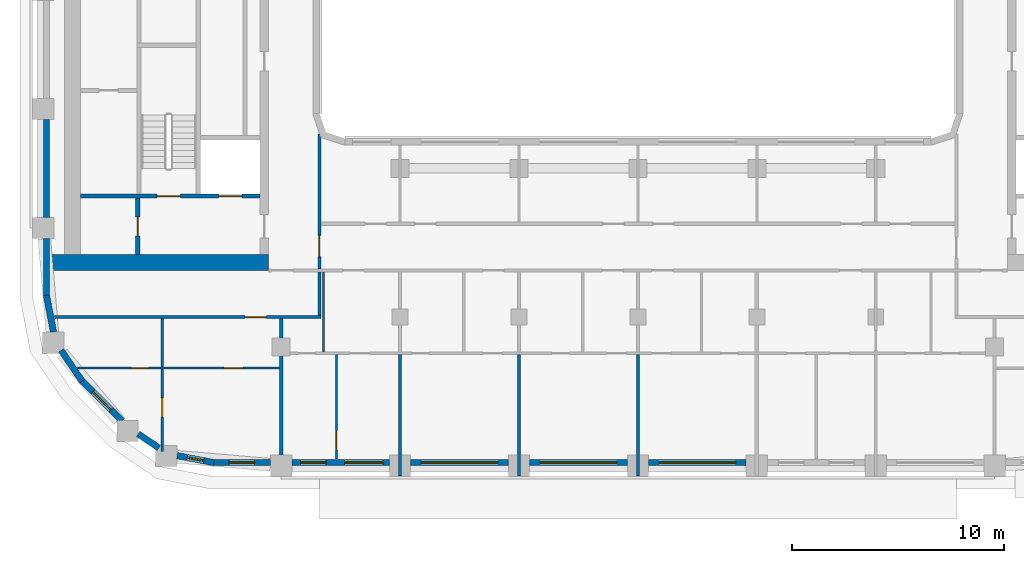
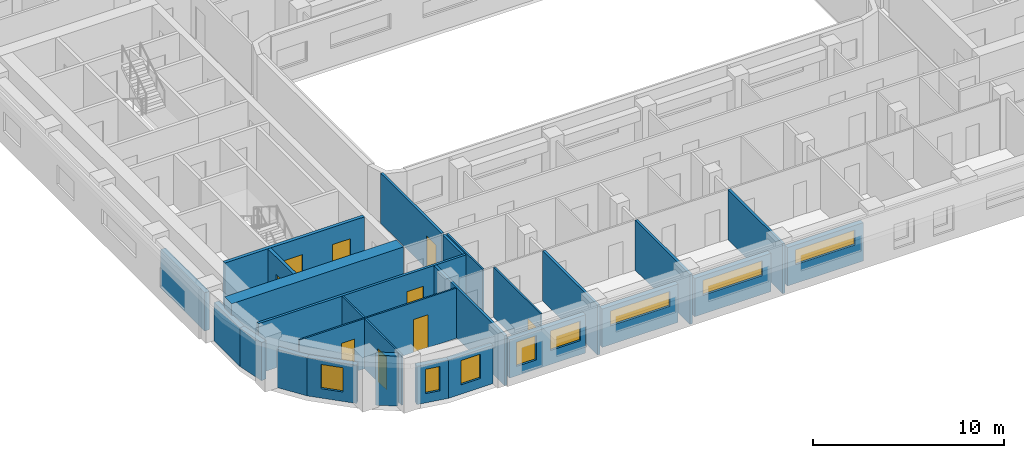
# One storey, part 2 of 22: 27 walls, 9 doors, 8 windows, 17 openings.
"""IFC4 building model written with IfcOpenShell, lengths in metres."""

from ifc_helpers import new_model, si_unit, direction, frame, frame_2d, origin, place, context, subcontext, project, spatial, rectangle, extrude, material, layer, layer_set, type_object, element, fill, save


model = new_model("IFC4")

# Units and contexts
model_context = context("Model", 3, precision=1e-05, world=origin(), true_north=direction((0.0, 1.0)))
body_context = subcontext(model_context, "Body", "Model", "MODEL_VIEW")
ifc_project = project(units=[si_unit("LENGTHUNIT", "METRE"), si_unit("AREAUNIT", "SQUARE_METRE"), si_unit("VOLUMEUNIT", "CUBIC_METRE"), si_unit("PLANEANGLEUNIT", "RADIAN"), si_unit("MASSUNIT", "GRAM", prefix="KILO")], contexts=[model_context])

# Site, building, storey
site_placement = place(None, origin())
site = spatial("IfcSite", under=ifc_project, at=site_placement, CompositionType="ELEMENT")
building_placement = place(site_placement, origin())
building = spatial("IfcBuilding", under=site, at=building_placement, Name="Kiln Ring Residences", CompositionType="ELEMENT")
storey_placement = place(building_placement, frame((0.0, 0.0, 164.10009765625)))
storey = spatial("IfcBuildingStorey", under=building, at=storey_placement, Name="L42", CompositionType="ELEMENT", Elevation=164.10009765625)

# Wall, opening, door
ifc_material_1 = material(Name="Gypsum board on steel studs", Category="steel")
ifc_layer_1 = layer(ifc_material_1, 0.199951171875)
ifc_layer_set_1 = layer_set([ifc_layer_1], Name="CORE-PARTITION-200")
wall_type_1 = type_object("IfcWallType", Name="CORE-PARTITION-200", PredefinedType="PARTITIONING", material=ifc_layer_set_1)
wall_1_placement = place(storey_placement, frame((-23.550048828125, -12.449951171875, 0.0), z_axis=(0.0, 0.0, 1.0), x_axis=(0.0, 1.0, 0.0)))
wall_1 = element("IfcWall", 1, at=wall_1_placement, inside=storey, type_object=wall_type_1, Name="Core partition west L42 5", PredefinedType="PARTITIONING", context=body_context, shape_type="SweptSolid", body=[
    extrude(rectangle(XDim=2.64990234375, YDim=0.199951171875, at=frame_2d((1.324951171875, 0.0))), origin(), (0.0, 0.0, 1.0), 3.199951171875),
])
opening_1_placement = place(wall_1_placement, frame((0.875, 0.0, 0.0)))
opening_1 = element("IfcOpeningElement", 2, at=opening_1_placement, cuts=wall_1, Name="Opening L42-CW10", PredefinedType="OPENING", context=body_context, shape_type="SweptSolid", body=[
    extrude(rectangle(XDim=0.89990234375, YDim=2.10009765625, at=frame_2d((0.449951171875, 1.050048828125))), frame((0.0, 0.10986328125, 0.0), z_axis=(0.0, -1.0, 0.0), x_axis=(1.0, 0.0, 0.0)), (0.0, 0.0, 1.0), 0.219970703125),
])
ifc_material_2 = material(Name="Steel door leaf", Category="steel")
door_type_1 = type_object("IfcDoorType", Name="CORE-DOOR-ROOM", OperationType="SINGLE_SWING_LEFT", PredefinedType="DOOR", material=ifc_material_2)
door_1_placement = place(opening_1_placement, origin())
door_1 = element("IfcDoor", 3, at=door_1_placement, inside=storey, type_object=door_type_1, Name="Store L42-CW10", OperationType="SINGLE_SWING_RIGHT", OverallHeight=2.10009765625, OverallWidth=0.89990234375, PredefinedType="DOOR", context=body_context, shape_type="SweptSolid", body=[
    extrude(rectangle(XDim=0.89990234375, YDim=2.10009765625, at=frame_2d((0.449951171875, 1.050048828125))), frame((0.0, 0.02490234375, 0.0), z_axis=(0.0, -1.0, 0.0), x_axis=(1.0, 0.0, 0.0)), (0.0, 0.0, 1.0), 0.050048828125),
])
fill(opening_1, door_1)

# Wall, openings, doors
ifc_material_3 = material(Name="Concrete C40/50", Category="concrete")
ifc_layer_2 = layer(ifc_material_3, 0.199951171875)
ifc_layer_set_2 = layer_set([ifc_layer_2], Name="CORE-WALL-RC200")
wall_type_2 = type_object("IfcWallType", Name="CORE-WALL-RC200", PredefinedType="SHEAR", material=ifc_layer_set_2)
wall_2_placement = place(storey_placement, frame((-17.800048828125, -9.699951171875, 0.0), z_axis=(0.0, 0.0, 1.0), x_axis=(-1.0, 0.0, 0.0)))
wall_2 = element("IfcWall", 4, at=wall_2_placement, inside=storey, type_object=wall_type_2, Name="Core wall west L42 8", PredefinedType="SHEAR", context=body_context, shape_type="SweptSolid", body=[
    extrude(rectangle(XDim=8.449951171875, YDim=0.199951171875, at=frame_2d((4.22509765625, 0.0))), origin(), (0.0, 0.0, 1.0), 3.199951171875),
])
opening_2_placement = place(wall_2_placement, frame((0.85009765625, 0.0, 0.0)))
opening_2 = element("IfcOpeningElement", 5, at=opening_2_placement, cuts=wall_2, Name="Opening L42-CW01", PredefinedType="OPENING", context=body_context, shape_type="SweptSolid", body=[
    extrude(rectangle(XDim=1.10009765625, YDim=2.10009765625, at=frame_2d((0.550048828125, 1.050048828125))), frame((0.0, 0.10986328125, 0.0), z_axis=(0.0, -1.0, 0.0), x_axis=(1.0, 0.0, 0.0)), (0.0, 0.0, 1.0), 0.219970703125),
])
opening_3_placement = place(wall_2_placement, frame((3.75, 0.0, 0.0)))
opening_3 = element("IfcOpeningElement", 6, at=opening_3_placement, cuts=wall_2, Name="Opening L42-CW12", PredefinedType="OPENING", context=body_context, shape_type="SweptSolid", body=[
    extrude(rectangle(XDim=1.10009765625, YDim=2.10009765625, at=frame_2d((0.550048828125, 1.050048828125))), frame((0.0, 0.10986328125, 0.0), z_axis=(0.0, -1.0, 0.0), x_axis=(1.0, 0.0, 0.0)), (0.0, 0.0, 1.0), 0.219970703125),
])
ifc_material_4 = material(Name="Steel door leaf", Category="steel")
door_type_2 = type_object("IfcDoorType", Name="CORE-DOOR-LD", OperationType="DOUBLE_DOOR_SLIDING", PredefinedType="DOOR", material=ifc_material_4)
door_2_placement = place(opening_2_placement, origin())
door_2 = element("IfcDoor", 7, at=door_2_placement, inside=storey, type_object=door_type_2, Name="LD W-SV L42-CW01", OperationType="DOUBLE_DOOR_SLIDING", OverallHeight=2.10009765625, OverallWidth=1.10009765625, PredefinedType="DOOR", context=body_context, shape_type="SweptSolid", body=[
    extrude(rectangle(XDim=1.10009765625, YDim=2.10009765625, at=frame_2d((0.550048828125, 1.050048828125))), frame((0.0, 0.02490234375, 0.0), z_axis=(0.0, -1.0, 0.0), x_axis=(1.0, 0.0, 0.0)), (0.0, 0.0, 1.0), 0.050048828125),
])
fill(opening_2, door_2)
ifc_material_5 = material(Name="Steel door leaf", Category="steel")
door_type_3 = type_object("IfcDoorType", Name="CORE-DOOR-STAIR", OperationType="SINGLE_SWING_LEFT", PredefinedType="DOOR", material=ifc_material_5)
door_3_placement = place(opening_3_placement, origin())
door_3 = element("IfcDoor", 8, at=door_3_placement, inside=storey, type_object=door_type_3, Name="Stair W-STS L42-CW12", OperationType="SINGLE_SWING_LEFT", OverallHeight=2.10009765625, OverallWidth=1.10009765625, PredefinedType="DOOR", context=body_context, shape_type="SweptSolid", body=[
    extrude(rectangle(XDim=1.10009765625, YDim=2.10009765625, at=frame_2d((0.550048828125, 1.050048828125))), frame((0.0, 0.02490234375, 0.0), z_axis=(0.0, -1.0, 0.0), x_axis=(1.0, 0.0, 0.0)), (0.0, 0.0, 1.0), 0.050048828125),
])
fill(opening_3, door_3)

# Wall
ifc_material_6 = material(Name="Concrete C60/75", Category="concrete")
ifc_layer_3 = layer(ifc_material_6, 0.75)
ifc_layer_set_3 = layer_set([ifc_layer_3], Name="CORE-WALL-RC750")
wall_type_3 = type_object("IfcWallType", Name="CORE-WALL-RC750", PredefinedType="SHEAR", material=ifc_layer_set_3)
wall_3_placement = place(storey_placement, frame((-17.39990234375, -12.824951171875, 0.0), z_axis=(0.0, 0.0, 1.0), x_axis=(-1.0, 0.0, 0.0)))
element("IfcWall", 9, at=wall_3_placement, inside=storey, type_object=wall_type_3, Name="Core wall west L42 5", PredefinedType="SHEAR", context=body_context, shape_type="SweptSolid", body=[
    extrude(rectangle(XDim=10.400146484375, YDim=0.75, at=frame_2d((5.2001953125, 0.0))), origin(), (0.0, 0.0, 1.0), 3.199951171875),
])

# Wall, opening, window
ifc_material_7 = material(Name="Brick masonry, dark clay brick", Category="masonry")
ifc_layer_4 = layer(ifc_material_7, 0.300048828125)
ifc_layer_set_4 = layer_set([ifc_layer_4], Name="EW-300 BRICK WALL")
wall_type_4 = type_object("IfcWallType", Name="EW-300 BRICK WALL", PredefinedType="SOLIDWALL", material=ifc_layer_set_4)
wall_4_placement = place(storey_placement, frame((-26.19677734375, -18.390869140625, 0.0), z_axis=(0.0, 0.0, 1.0), x_axis=(0.707061571201, -0.707151988282, 0.0)))
wall_4 = element("IfcWall", 10, at=wall_4_placement, inside=storey, type_object=wall_type_4, Name="Facade wall L42 1", PredefinedType="SOLIDWALL", context=body_context, shape_type="SweptSolid", body=[
    extrude(rectangle(XDim=2.7001953125, YDim=0.300048828125, at=frame_2d((1.35009765625, 0.0))), origin(), (0.0, 0.0, 1.0), 2.449951171875),
])
opening_4_placement = place(wall_4_placement, frame((0.75, 0.0, 0.60009765625)))
opening_4 = element("IfcOpeningElement", 11, at=opening_4_placement, cuts=wall_4, Name="Opening W1", PredefinedType="OPENING", context=body_context, shape_type="SweptSolid", body=[
    extrude(rectangle(XDim=1.199951171875, YDim=1.550048828125, at=frame_2d((0.60009765625, 0.77490234375))), frame((0.0, 0.159912109375, 0.0), z_axis=(0.0, -1.0, 0.0), x_axis=(1.0, 0.0, 0.0)), (0.0, 0.0, 1.0), 0.320068359375),
])
ifc_material_8 = material(Name="Aluminium frame with double glazing", Category="aluminium")
window_type_1 = type_object("IfcWindowType", Name="WINDOW 1200 x 1550", PartitioningType="SINGLE_PANEL", PredefinedType="WINDOW", material=ifc_material_8)
window_1_placement = place(opening_4_placement, origin())
window_1 = element("IfcWindow", 12, at=window_1_placement, inside=storey, type_object=window_type_1, Name="Window L42 1", OverallHeight=1.550048828125, OverallWidth=1.199951171875, PartitioningType="SINGLE_PANEL", PredefinedType="WINDOW", context=body_context, shape_type="SweptSolid", body=[
    extrude(rectangle(XDim=1.199951171875, YDim=1.550048828125, at=frame_2d((0.60009765625, 0.77490234375))), frame((0.0, 0.030029296875, 0.0), z_axis=(0.0, -1.0, 0.0), x_axis=(1.0, 0.0, 0.0)), (0.0, 0.0, 1.0), 0.06005859375),
])
fill(opening_4, window_1)

# Wall
wall_5_placement = place(storey_placement, frame((-23.533935546875, -20.904296875, 0.0), z_axis=(0.0, 0.0, 1.0), x_axis=(0.827103906596, -0.56204904385, 0.0)))
element("IfcWall", 13, at=wall_5_placement, inside=storey, type_object=wall_type_4, Name="Facade wall L42 2", PredefinedType="SOLIDWALL", context=body_context, shape_type="SweptSolid", body=[
    extrude(rectangle(XDim=1.17724609375, YDim=0.300048828125, at=frame_2d((0.588623046875, 0.0))), origin(), (0.0, 0.0, 1.0), 3.199951171875),
])

# Wall, opening, window
wall_6_placement = place(storey_placement, frame((-21.697021484375, -21.923583984375, 0.0), z_axis=(0.0, 0.0, 1.0), x_axis=(0.982284988433, -0.187393173565, 0.0)))
wall_6 = element("IfcWall", 14, at=wall_6_placement, inside=storey, type_object=wall_type_4, Name="Facade wall L42 3", PredefinedType="SOLIDWALL", context=body_context, shape_type="SweptSolid", body=[
    extrude(rectangle(XDim=1.756103515625, YDim=0.300048828125, at=frame_2d((0.8779296875, 0.0))), origin(), (0.0, 0.0, 1.0), 2.449951171875),
])
opening_5_placement = place(wall_6_placement, frame((0.47802734375, 0.0, 0.60009765625)))
opening_5 = element("IfcOpeningElement", 15, at=opening_5_placement, cuts=wall_6, Name="Opening W5", PredefinedType="OPENING", context=body_context, shape_type="SweptSolid", body=[
    extrude(rectangle(XDim=0.800048828125, YDim=1.550048828125, at=frame_2d((0.39990234375, 0.77490234375))), frame((0.0, 0.159912109375, 0.0), z_axis=(0.0, -1.0, 0.0), x_axis=(1.0, 0.0, 0.0)), (0.0, 0.0, 1.0), 0.320068359375),
])
ifc_material_9 = material(Name="Aluminium frame with double glazing", Category="aluminium")
window_type_2 = type_object("IfcWindowType", Name="WINDOW 800 x 1550", PartitioningType="SINGLE_PANEL", PredefinedType="WINDOW", material=ifc_material_9)
window_2_placement = place(opening_5_placement, origin())
window_2 = element("IfcWindow", 16, at=window_2_placement, inside=storey, type_object=window_type_2, Name="Window L42 2", OverallHeight=1.550048828125, OverallWidth=0.800048828125, PartitioningType="SINGLE_PANEL", PredefinedType="WINDOW", context=body_context, shape_type="SweptSolid", body=[
    extrude(rectangle(XDim=0.800048828125, YDim=1.550048828125, at=frame_2d((0.39990234375, 0.77490234375))), frame((0.0, 0.030029296875, 0.0), z_axis=(0.0, -1.0, 0.0), x_axis=(1.0, 0.0, 0.0)), (0.0, 0.0, 1.0), 0.06005859375),
])
fill(opening_5, window_2)

wall_7_placement = place(storey_placement, frame((-20.0, -22.25, 0.0), z_axis=(0.0, 0.0, 1.0), x_axis=(1.0, 0.0, 0.0)))
wall_7 = element("IfcWall", 17, at=wall_7_placement, inside=storey, type_object=wall_type_4, Name="Facade wall L42 4", PredefinedType="SOLIDWALL", context=body_context, shape_type="SweptSolid", body=[
    extrude(rectangle(XDim=2.699951171875, YDim=0.300048828125, at=frame_2d((1.35009765625, 0.0))), origin(), (0.0, 0.0, 1.0), 2.449951171875),
])
opening_6_placement = place(wall_7_placement, frame((0.75, 0.0, 0.60009765625)))
opening_6 = element("IfcOpeningElement", 18, at=opening_6_placement, cuts=wall_7, Name="Opening W1", PredefinedType="OPENING", context=body_context, shape_type="SweptSolid", body=[
    extrude(rectangle(XDim=1.199951171875, YDim=1.550048828125, at=frame_2d((0.60009765625, 0.77490234375))), frame((0.0, 0.159912109375, 0.0), z_axis=(0.0, -1.0, 0.0), x_axis=(1.0, 0.0, 0.0)), (0.0, 0.0, 1.0), 0.320068359375),
])
window_3_placement = place(opening_6_placement, origin())
window_3 = element("IfcWindow", 19, at=window_3_placement, inside=storey, type_object=window_type_1, Name="Window L42 3", OverallHeight=1.550048828125, OverallWidth=1.199951171875, PartitioningType="SINGLE_PANEL", PredefinedType="WINDOW", context=body_context, shape_type="SweptSolid", body=[
    extrude(rectangle(XDim=1.199951171875, YDim=1.550048828125, at=frame_2d((0.60009765625, 0.77490234375))), frame((0.0, 0.030029296875, 0.0), z_axis=(0.0, -1.0, 0.0), x_axis=(1.0, 0.0, 0.0)), (0.0, 0.0, 1.0), 0.06005859375),
])
fill(opening_6, window_3)

# Wall, openings, windows
wall_8_placement = place(storey_placement, frame((-16.300048828125, -22.25, 0.0), z_axis=(0.0, 0.0, 1.0), x_axis=(1.0, 0.0, 0.0)))
wall_8 = element("IfcWall", 20, at=wall_8_placement, inside=storey, type_object=wall_type_4, Name="Facade wall L42 5", PredefinedType="SOLIDWALL", context=body_context, shape_type="SweptSolid", body=[
    extrude(rectangle(XDim=4.60009765625, YDim=0.300048828125, at=frame_2d((2.300048828125, 0.0))), origin(), (0.0, 0.0, 1.0), 2.449951171875),
])
opening_7_placement = place(wall_8_placement, frame((0.41259765625, 0.0, 0.60009765625)))
opening_7 = element("IfcOpeningElement", 21, at=opening_7_placement, cuts=wall_8, Name="Opening W1", PredefinedType="OPENING", context=body_context, shape_type="SweptSolid", body=[
    extrude(rectangle(XDim=1.199951171875, YDim=1.550048828125, at=frame_2d((0.60009765625, 0.77490234375))), frame((0.0, 0.159912109375, 0.0), z_axis=(0.0, -1.0, 0.0), x_axis=(1.0, 0.0, 0.0)), (0.0, 0.0, 1.0), 0.320068359375),
])
opening_8_placement = place(wall_8_placement, frame((2.487548828125, 0.0, 0.89990234375)))
opening_8 = element("IfcOpeningElement", 22, at=opening_8_placement, cuts=wall_8, Name="Opening W2", PredefinedType="OPENING", context=body_context, shape_type="SweptSolid", body=[
    extrude(rectangle(XDim=1.800048828125, YDim=1.25, at=frame_2d((0.89990234375, 0.625))), frame((0.0, 0.159912109375, 0.0), z_axis=(0.0, -1.0, 0.0), x_axis=(1.0, 0.0, 0.0)), (0.0, 0.0, 1.0), 0.320068359375),
])
window_4_placement = place(opening_7_placement, origin())
window_4 = element("IfcWindow", 23, at=window_4_placement, inside=storey, type_object=window_type_1, Name="Window L42 4", OverallHeight=1.550048828125, OverallWidth=1.199951171875, PartitioningType="SINGLE_PANEL", PredefinedType="WINDOW", context=body_context, shape_type="SweptSolid", body=[
    extrude(rectangle(XDim=1.199951171875, YDim=1.550048828125, at=frame_2d((0.60009765625, 0.77490234375))), frame((0.0, 0.030029296875, 0.0), z_axis=(0.0, -1.0, 0.0), x_axis=(1.0, 0.0, 0.0)), (0.0, 0.0, 1.0), 0.06005859375),
])
fill(opening_7, window_4)
ifc_material_10 = material(Name="Aluminium frame with double glazing", Category="aluminium")
window_type_3 = type_object("IfcWindowType", Name="WINDOW 1800 x 1250", PartitioningType="SINGLE_PANEL", PredefinedType="WINDOW", material=ifc_material_10)
window_5_placement = place(opening_8_placement, origin())
window_5 = element("IfcWindow", 24, at=window_5_placement, inside=storey, type_object=window_type_3, Name="Window L42 5", OverallHeight=1.25, OverallWidth=1.800048828125, PartitioningType="SINGLE_PANEL", PredefinedType="WINDOW", context=body_context, shape_type="SweptSolid", body=[
    extrude(rectangle(XDim=1.800048828125, YDim=1.25, at=frame_2d((0.89990234375, 0.625))), frame((0.0, 0.030029296875, 0.0), z_axis=(0.0, -1.0, 0.0), x_axis=(1.0, 0.0, 0.0)), (0.0, 0.0, 1.0), 0.06005859375),
])
fill(opening_8, window_5)

# Wall, opening, window
wall_9_placement = place(storey_placement, frame((-10.699951171875, -22.25, 0.0), z_axis=(0.0, 0.0, 1.0), x_axis=(1.0, 0.0, 0.0)))
wall_9 = element("IfcWall", 25, at=wall_9_placement, inside=storey, type_object=wall_type_4, Name="Facade wall L42 6", PredefinedType="SOLIDWALL", context=body_context, shape_type="SweptSolid", body=[
    extrude(rectangle(XDim=4.599853515625, YDim=0.300048828125, at=frame_2d((2.2998046875, 0.0))), origin(), (0.0, 0.0, 1.0), 2.449951171875),
])
opening_9_placement = place(wall_9_placement, frame((0.5, 0.0, 1.199951171875)))
opening_9 = element("IfcOpeningElement", 26, at=opening_9_placement, cuts=wall_9, Name="Opening W4", PredefinedType="OPENING", context=body_context, shape_type="SweptSolid", body=[
    extrude(rectangle(XDim=3.60009765625, YDim=0.949951171875, at=frame_2d((1.800048828125, 0.47509765625))), frame((0.0, 0.159912109375, 0.0), z_axis=(0.0, -1.0, 0.0), x_axis=(1.0, 0.0, 0.0)), (0.0, 0.0, 1.0), 0.320068359375),
])
ifc_material_11 = material(Name="Aluminium frame with double glazing", Category="aluminium")
window_type_4 = type_object("IfcWindowType", Name="WINDOW 3600 x 950", PartitioningType="SINGLE_PANEL", PredefinedType="WINDOW", material=ifc_material_11)
window_6_placement = place(opening_9_placement, origin())
window_6 = element("IfcWindow", 27, at=window_6_placement, inside=storey, type_object=window_type_4, Name="Window L42 6", OverallHeight=0.949951171875, OverallWidth=3.60009765625, PartitioningType="SINGLE_PANEL", PredefinedType="WINDOW", context=body_context, shape_type="SweptSolid", body=[
    extrude(rectangle(XDim=3.60009765625, YDim=0.949951171875, at=frame_2d((1.800048828125, 0.47509765625))), frame((0.0, 0.030029296875, 0.0), z_axis=(0.0, -1.0, 0.0), x_axis=(1.0, 0.0, 0.0)), (0.0, 0.0, 1.0), 0.06005859375),
])
fill(opening_9, window_6)

wall_10_placement = place(storey_placement, frame((-5.10009765625, -22.25, 0.0), z_axis=(0.0, 0.0, 1.0), x_axis=(1.0, 0.0, 0.0)))
wall_10 = element("IfcWall", 28, at=wall_10_placement, inside=storey, type_object=wall_type_4, Name="Facade wall L42 7", PredefinedType="SOLIDWALL", context=body_context, shape_type="SweptSolid", body=[
    extrude(rectangle(XDim=4.60009765625, YDim=0.300048828125, at=frame_2d((2.300048828125, 0.0))), origin(), (0.0, 0.0, 1.0), 2.449951171875),
])
opening_10_placement = place(wall_10_placement, frame((0.5, 0.0, 1.199951171875)))
opening_10 = element("IfcOpeningElement", 29, at=opening_10_placement, cuts=wall_10, Name="Opening W4", PredefinedType="OPENING", context=body_context, shape_type="SweptSolid", body=[
    extrude(rectangle(XDim=3.60009765625, YDim=0.949951171875, at=frame_2d((1.800048828125, 0.47509765625))), frame((0.0, 0.159912109375, 0.0), z_axis=(0.0, -1.0, 0.0), x_axis=(1.0, 0.0, 0.0)), (0.0, 0.0, 1.0), 0.320068359375),
])
window_7_placement = place(opening_10_placement, origin())
window_7 = element("IfcWindow", 30, at=window_7_placement, inside=storey, type_object=window_type_4, Name="Window L42 7", OverallHeight=0.949951171875, OverallWidth=3.60009765625, PartitioningType="SINGLE_PANEL", PredefinedType="WINDOW", context=body_context, shape_type="SweptSolid", body=[
    extrude(rectangle(XDim=3.60009765625, YDim=0.949951171875, at=frame_2d((1.800048828125, 0.47509765625))), frame((0.0, 0.030029296875, 0.0), z_axis=(0.0, -1.0, 0.0), x_axis=(1.0, 0.0, 0.0)), (0.0, 0.0, 1.0), 0.06005859375),
])
fill(opening_10, window_7)

wall_11_placement = place(storey_placement, frame((0.5, -22.25, 0.0), z_axis=(0.0, 0.0, 1.0), x_axis=(1.0, 0.0, 0.0)))
wall_11 = element("IfcWall", 31, at=wall_11_placement, inside=storey, type_object=wall_type_4, Name="Facade wall L42 8", PredefinedType="SOLIDWALL", context=body_context, shape_type="SweptSolid", body=[
    extrude(rectangle(XDim=4.60009765625, YDim=0.300048828125, at=frame_2d((2.300048828125, 0.0))), origin(), (0.0, 0.0, 1.0), 2.449951171875),
])
opening_11_placement = place(wall_11_placement, frame((0.5, 0.0, 1.199951171875)))
opening_11 = element("IfcOpeningElement", 32, at=opening_11_placement, cuts=wall_11, Name="Opening W4", PredefinedType="OPENING", context=body_context, shape_type="SweptSolid", body=[
    extrude(rectangle(XDim=3.60009765625, YDim=0.949951171875, at=frame_2d((1.800048828125, 0.47509765625))), frame((0.0, 0.159912109375, 0.0), z_axis=(0.0, -1.0, 0.0), x_axis=(1.0, 0.0, 0.0)), (0.0, 0.0, 1.0), 0.320068359375),
])
window_8_placement = place(opening_11_placement, origin())
window_8 = element("IfcWindow", 33, at=window_8_placement, inside=storey, type_object=window_type_4, Name="Window L42 8", OverallHeight=0.949951171875, OverallWidth=3.60009765625, PartitioningType="SINGLE_PANEL", PredefinedType="WINDOW", context=body_context, shape_type="SweptSolid", body=[
    extrude(rectangle(XDim=3.60009765625, YDim=0.949951171875, at=frame_2d((1.800048828125, 0.47509765625))), frame((0.0, 0.030029296875, 0.0), z_axis=(0.0, -1.0, 0.0), x_axis=(1.0, 0.0, 0.0)), (0.0, 0.0, 1.0), 0.06005859375),
])
fill(opening_11, window_8)

# Walls
wall_12_placement = place(storey_placement, frame((-27.85009765625, -6.10009765625, 0.0), z_axis=(0.0, 0.0, 1.0), x_axis=(0.0, -1.0, 0.0)))
element("IfcWall", 34, at=wall_12_placement, inside=storey, type_object=wall_type_4, Name="Facade wall L42 45", PredefinedType="SOLIDWALL", context=body_context, shape_type="SweptSolid", body=[
    extrude(rectangle(XDim=4.599853515625, YDim=0.300048828125, at=frame_2d((2.2998046875, 0.0))), origin(), (0.0, 0.0, 1.0), 2.449951171875),
])
wall_13_placement = place(storey_placement, frame((-27.85009765625, -11.699951171875, 0.0), z_axis=(0.0, 0.0, 1.0), x_axis=(0.0, -1.0, 0.0)))
element("IfcWall", 35, at=wall_13_placement, inside=storey, type_object=wall_type_4, Name="Facade wall L42 46", PredefinedType="SOLIDWALL", context=body_context, shape_type="SweptSolid", body=[
    extrude(rectangle(XDim=2.699951171875, YDim=0.300048828125, at=frame_2d((1.35009765625, 0.0))), origin(), (0.0, 0.0, 1.0), 2.449951171875),
])
for number, where, z_axis, x_axis, name in (
    (36, (-27.8525390625, -14.371826171875, 0.0), (0.0, 0.0, 1.0), (0.187259034321, -0.982310569049, 0.0), "Facade wall L42 47"),
    (37, (-27.166015625, -16.96044921875, 0.0), (0.0, 0.0, 1.0), (0.562089443061, -0.82707645233, 0.0), "Facade wall L42 48"),
):
    element("IfcWall", number, at=place(storey_placement, frame(where, z_axis=z_axis, x_axis=x_axis)), inside=storey, type_object=wall_type_4, Name=name, PredefinedType="SOLIDWALL", context=body_context, shape_type="SweptSolid", body=[
        extrude(rectangle(XDim=1.756103515625, YDim=0.300048828125, at=frame_2d((0.8779296875, 0.0))), origin(), (0.0, 0.0, 1.0), 2.449951171875),
    ])

# Wall, openings, doors
ifc_material_12 = material(Name="Gypsum board on steel studs", Category="steel")
ifc_layer_5 = layer(ifc_material_12, 0.10009765625)
ifc_layer_set_5 = layer_set([ifc_layer_5], Name="PARTITION-100")
wall_type_5 = type_object("IfcWallType", Name="PARTITION-100", PredefinedType="PARTITIONING", material=ifc_layer_set_5)
wall_14_placement = place(storey_placement, frame((-26.39404296875, -17.800048828125, 0.0), z_axis=(0.0, 0.0, 1.0), x_axis=(1.0, 0.0, 0.0)))
wall_14 = element("IfcWall", 38, at=wall_14_placement, inside=storey, type_object=wall_type_5, Name="Partition 000", PredefinedType="PARTITIONING", context=body_context, shape_type="SweptSolid", body=[
    extrude(rectangle(XDim=9.51904296875, YDim=0.10009765625, at=frame_2d((4.759521484375, 0.0))), origin(), (0.0, 0.0, 1.0), 3.199951171875),
])
opening_12_placement = place(wall_14_placement, frame((2.5439453125, 0.0, 0.0)))
opening_12 = element("IfcOpeningElement", 39, at=opening_12_placement, cuts=wall_14, Name="Opening L42-D071", PredefinedType="OPENING", context=body_context, shape_type="SweptSolid", body=[
    extrude(rectangle(XDim=0.800048828125, YDim=2.10009765625, at=frame_2d((0.39990234375, 1.050048828125))), frame((0.0, 0.06005859375, 0.0), z_axis=(0.0, -1.0, 0.0), x_axis=(1.0, 0.0, 0.0)), (0.0, 0.0, 1.0), 0.1201171875),
])
opening_13_placement = place(wall_14_placement, frame((6.89404296875, 0.0, 0.0)))
opening_13 = element("IfcOpeningElement", 40, at=opening_13_placement, cuts=wall_14, Name="Opening L42-D072", PredefinedType="OPENING", context=body_context, shape_type="SweptSolid", body=[
    extrude(rectangle(XDim=0.89990234375, YDim=2.10009765625, at=frame_2d((0.449951171875, 1.050048828125))), frame((0.0, 0.06005859375, 0.0), z_axis=(0.0, -1.0, 0.0), x_axis=(1.0, 0.0, 0.0)), (0.0, 0.0, 1.0), 0.1201171875),
])
ifc_material_13 = material(Name="Timber door leaf", Category="wood")
door_type_4 = type_object("IfcDoorType", Name="FLAT-DOOR-800-PL", OperationType="SINGLE_SWING_LEFT", PredefinedType="DOOR", material=ifc_material_13)
door_4_placement = place(opening_12_placement, origin())
door_4 = element("IfcDoor", 41, at=door_4_placement, inside=storey, type_object=door_type_4, Name="Door L42-D071", OperationType="SINGLE_SWING_LEFT", OverallHeight=2.10009765625, OverallWidth=0.800048828125, PredefinedType="DOOR", context=body_context, shape_type="SweptSolid", body=[
    extrude(rectangle(XDim=0.800048828125, YDim=2.10009765625, at=frame_2d((0.39990234375, 1.050048828125))), frame((0.0, 0.02490234375, 0.0), z_axis=(0.0, -1.0, 0.0), x_axis=(1.0, 0.0, 0.0)), (0.0, 0.0, 1.0), 0.050048828125),
])
fill(opening_12, door_4)
ifc_material_14 = material(Name="Timber door leaf", Category="wood")
door_type_5 = type_object("IfcDoorType", Name="FLAT-DOOR-900-PL", OperationType="SINGLE_SWING_LEFT", PredefinedType="DOOR", material=ifc_material_14)
door_5_placement = place(opening_13_placement, origin())
door_5 = element("IfcDoor", 42, at=door_5_placement, inside=storey, type_object=door_type_5, Name="Door L42-D072", OperationType="SINGLE_SWING_RIGHT", OverallHeight=2.10009765625, OverallWidth=0.89990234375, PredefinedType="DOOR", context=body_context, shape_type="SweptSolid", body=[
    extrude(rectangle(XDim=0.89990234375, YDim=2.10009765625, at=frame_2d((0.449951171875, 1.050048828125))), frame((0.0, 0.02490234375, 0.0), z_axis=(0.0, -1.0, 0.0), x_axis=(1.0, 0.0, 0.0)), (0.0, 0.0, 1.0), 0.050048828125),
])
fill(opening_13, door_5)

# Wall, opening, door
wall_15_placement = place(storey_placement, frame((-22.39990234375, -21.719970703125, 0.0), z_axis=(0.0, 0.0, 1.0), x_axis=(0.0, 1.0, 0.0)))
wall_15 = element("IfcWall", 43, at=wall_15_placement, inside=storey, type_object=wall_type_5, Name="Partition 014", PredefinedType="PARTITIONING", context=body_context, shape_type="SweptSolid", body=[
    extrude(rectangle(XDim=3.869873046875, YDim=0.10009765625, at=frame_2d((1.93505859375, 0.0))), origin(), (0.0, 0.0, 1.0), 3.199951171875),
])
opening_14_placement = place(wall_15_placement, frame((1.6201171875, 0.0, 0.0)))
opening_14 = element("IfcOpeningElement", 44, at=opening_14_placement, cuts=wall_15, Name="Opening L42-D073", PredefinedType="OPENING", context=body_context, shape_type="SweptSolid", body=[
    extrude(rectangle(XDim=0.89990234375, YDim=2.10009765625, at=frame_2d((0.449951171875, 1.050048828125))), frame((0.0, 0.06005859375, 0.0), z_axis=(0.0, -1.0, 0.0), x_axis=(1.0, 0.0, 0.0)), (0.0, 0.0, 1.0), 0.1201171875),
])
door_6_placement = place(opening_14_placement, origin())
door_6 = element("IfcDoor", 45, at=door_6_placement, inside=storey, type_object=door_type_5, Name="Door L42-D073", OperationType="SINGLE_SWING_LEFT", OverallHeight=2.10009765625, OverallWidth=0.89990234375, PredefinedType="DOOR", context=body_context, shape_type="SweptSolid", body=[
    extrude(rectangle(XDim=0.89990234375, YDim=2.10009765625, at=frame_2d((0.449951171875, 1.050048828125))), frame((0.0, 0.02490234375, 0.0), z_axis=(0.0, -1.0, 0.0), x_axis=(1.0, 0.0, 0.0)), (0.0, 0.0, 1.0), 0.050048828125),
])
fill(opening_14, door_6)

# Walls
wall_16_placement = place(storey_placement, frame((-22.39990234375, -17.75, 0.0), z_axis=(0.0, 0.0, 1.0), x_axis=(0.0, 1.0, 0.0)))
element("IfcWall", 46, at=wall_16_placement, inside=storey, type_object=wall_type_5, Name="Partition 015", PredefinedType="PARTITIONING", context=body_context, shape_type="SweptSolid", body=[
    extrude(rectangle(XDim=2.27490234375, YDim=0.10009765625, at=frame_2d((1.137451171875, 0.0))), origin(), (0.0, 0.0, 1.0), 3.199951171875),
])
wall_17_placement = place(storey_placement, frame((-14.800048828125, -17.050048828125, 0.0), z_axis=(0.0, 0.0, 1.0), x_axis=(0.0, 1.0, 0.0)))
element("IfcWall", 47, at=wall_17_placement, inside=storey, type_object=wall_type_5, Name="Partition 024", PredefinedType="PARTITIONING", context=body_context, shape_type="SweptSolid", body=[
    extrude(rectangle(XDim=3.775146484375, YDim=0.10009765625, at=frame_2d((1.8876953125, 0.0))), origin(), (0.0, 0.0, 1.0), 3.199951171875),
])

# Wall, opening, door
wall_18_placement = place(storey_placement, frame((-14.199951171875, -22.080078125, 0.0), z_axis=(0.0, 0.0, 1.0), x_axis=(0.0, 1.0, 0.0)))
wall_18 = element("IfcWall", 48, at=wall_18_placement, inside=storey, type_object=wall_type_5, Name="Partition 025", PredefinedType="PARTITIONING", context=body_context, shape_type="SweptSolid", body=[
    extrude(rectangle(XDim=4.93017578125, YDim=0.10009765625, at=frame_2d((2.465087890625, 0.0))), origin(), (0.0, 0.0, 1.0), 3.199951171875),
])
opening_15_placement = place(wall_18_placement, frame((0.429931640625, 0.0, 0.0)))
opening_15 = element("IfcOpeningElement", 49, at=opening_15_placement, cuts=wall_18, Name="Opening L42-D050", PredefinedType="OPENING", context=body_context, shape_type="SweptSolid", body=[
    extrude(rectangle(XDim=0.89990234375, YDim=2.10009765625, at=frame_2d((0.449951171875, 1.050048828125))), frame((0.0, 0.06005859375, 0.0), z_axis=(0.0, -1.0, 0.0), x_axis=(1.0, 0.0, 0.0)), (0.0, 0.0, 1.0), 0.1201171875),
])
door_7_placement = place(opening_15_placement, origin())
door_7 = element("IfcDoor", 50, at=door_7_placement, inside=storey, type_object=door_type_5, Name="Door L42-D050", OperationType="SINGLE_SWING_RIGHT", OverallHeight=2.10009765625, OverallWidth=0.89990234375, PredefinedType="DOOR", context=body_context, shape_type="SweptSolid", body=[
    extrude(rectangle(XDim=0.89990234375, YDim=2.10009765625, at=frame_2d((0.449951171875, 1.050048828125))), frame((0.0, 0.02490234375, 0.0), z_axis=(0.0, -1.0, 0.0), x_axis=(1.0, 0.0, 0.0)), (0.0, 0.0, 1.0), 0.050048828125),
])
fill(opening_15, door_7)

ifc_material_15 = material(Name="Brick masonry partition", Category="masonry")
ifc_layer_6 = layer(ifc_material_15, 0.14990234375)
ifc_layer_set_6 = layer_set([ifc_layer_6], Name="PARTITION-150-ei60")
wall_type_6 = type_object("IfcWallType", Name="PARTITION-150-ei60", PredefinedType="PARTITIONING", material=ifc_layer_set_6)
wall_19_placement = place(storey_placement, frame((-27.48388671875, -15.39990234375, 0.0), z_axis=(0.0, 0.0, 1.0), x_axis=(1.0, 0.0, 0.0)))
wall_19 = element("IfcWall", 51, at=wall_19_placement, inside=storey, type_object=wall_type_6, Name="Partition 003", PredefinedType="PARTITIONING", context=body_context, shape_type="SweptSolid", body=[
    extrude(rectangle(XDim=12.558837890625, YDim=0.14990234375, at=frame_2d((6.279296875, 0.0))), origin(), (0.0, 0.0, 1.0), 3.199951171875),
])
opening_16_placement = place(wall_19_placement, frame((8.98388671875, 0.0, 0.0)))
opening_16 = element("IfcOpeningElement", 52, at=opening_16_placement, cuts=wall_19, Name="Opening L42-D070", PredefinedType="OPENING", context=body_context, shape_type="SweptSolid", body=[
    extrude(rectangle(XDim=1.0, YDim=2.10009765625, at=frame_2d((0.5, 1.050048828125))), frame((0.0, 0.0849609375, 0.0), z_axis=(0.0, -1.0, 0.0), x_axis=(1.0, 0.0, 0.0)), (0.0, 0.0, 1.0), 0.169921875),
])
ifc_material_16 = material(Name="Steel faced fire door leaf", Category="steel")
door_type_6 = type_object("IfcDoorType", Name="FLAT-DOOR-1000-FR", OperationType="SINGLE_SWING_LEFT", PredefinedType="DOOR", material=ifc_material_16)
door_8_placement = place(opening_16_placement, origin())
door_8 = element("IfcDoor", 53, at=door_8_placement, inside=storey, type_object=door_type_6, Name="Door L42-D070", OperationType="SINGLE_SWING_RIGHT", OverallHeight=2.10009765625, OverallWidth=1.0, PredefinedType="DOOR", context=body_context, shape_type="SweptSolid", body=[
    extrude(rectangle(XDim=1.0, YDim=2.10009765625, at=frame_2d((0.5, 1.050048828125))), frame((0.0, 0.02490234375, 0.0), z_axis=(0.0, -1.0, 0.0), x_axis=(1.0, 0.0, 0.0)), (0.0, 0.0, 1.0), 0.050048828125),
])
fill(opening_16, door_8)

# Walls
wall_20_placement = place(storey_placement, frame((-16.800048828125, -22.8798828125, 0.0), z_axis=(0.0, 0.0, 1.0), x_axis=(0.0, 1.0, 0.0)))
element("IfcWall", 54, at=wall_20_placement, inside=storey, type_object=wall_type_6, Name="Partition 018", PredefinedType="PARTITIONING", context=body_context, shape_type="SweptSolid", body=[
    extrude(rectangle(XDim=7.40478515625, YDim=0.14990234375, at=frame_2d((3.702392578125, 0.0))), origin(), (0.0, 0.0, 1.0), 3.199951171875),
])
wall_21_placement = place(storey_placement, frame((-15.0, -15.324951171875, 0.0), z_axis=(0.0, 0.0, 1.0), x_axis=(0.0, 1.0, 0.0)))
element("IfcWall", 55, at=wall_21_placement, inside=storey, type_object=wall_type_6, Name="Partition 020", PredefinedType="PARTITIONING", context=body_context, shape_type="SweptSolid", body=[
    extrude(rectangle(XDim=2.050048828125, YDim=0.14990234375, at=frame_2d((1.02490234375, 0.0))), origin(), (0.0, 0.0, 1.0), 3.199951171875),
])

# Wall, opening, door
wall_22_placement = place(storey_placement, frame((-15.0, -13.125, 0.0), z_axis=(0.0, 0.0, 1.0), x_axis=(0.0, 1.0, 0.0)))
wall_22 = element("IfcWall", 56, at=wall_22_placement, inside=storey, type_object=wall_type_6, Name="Partition 021", PredefinedType="PARTITIONING", context=body_context, shape_type="SweptSolid", body=[
    extrude(rectangle(XDim=6.356201171875, YDim=0.14990234375, at=frame_2d((3.17822265625, 0.0))), origin(), (0.0, 0.0, 1.0), 3.199951171875),
])
opening_17_placement = place(wall_22_placement, frame((0.574951171875, 0.0, 0.0)))
opening_17 = element("IfcOpeningElement", 57, at=opening_17_placement, cuts=wall_22, Name="Opening L42-D005", PredefinedType="OPENING", context=body_context, shape_type="SweptSolid", body=[
    extrude(rectangle(XDim=1.0, YDim=2.10009765625, at=frame_2d((0.5, 1.050048828125))), frame((0.0, 0.0849609375, 0.0), z_axis=(0.0, -1.0, 0.0), x_axis=(1.0, 0.0, 0.0)), (0.0, 0.0, 1.0), 0.169921875),
])
door_9_placement = place(opening_17_placement, origin())
door_9 = element("IfcDoor", 58, at=door_9_placement, inside=storey, type_object=door_type_6, Name="Door L42-D005", OperationType="SINGLE_SWING_RIGHT", OverallHeight=2.10009765625, OverallWidth=1.0, PredefinedType="DOOR", context=body_context, shape_type="SweptSolid", body=[
    extrude(rectangle(XDim=1.0, YDim=2.10009765625, at=frame_2d((0.5, 1.050048828125))), frame((0.0, 0.02490234375, 0.0), z_axis=(0.0, -1.0, 0.0), x_axis=(1.0, 0.0, 0.0)), (0.0, 0.0, 1.0), 0.050048828125),
])
fill(opening_17, door_9)

# Walls
for number, where, z_axis, x_axis, name in (
    (59, (-11.199951171875, -22.8798828125, 0.0), (0.0, 0.0, 1.0), (0.0, 1.0, 0.0), "Partition 030"),
    (60, (-5.60009765625, -22.8798828125, 0.0), (0.0, 0.0, 1.0), (0.0, 1.0, 0.0), "Partition 037"),
    (61, (0.0, -22.8798828125, 0.0), (0.0, 0.0, 1.0), (0.0, 1.0, 0.0), "Partition 043"),
):
    element("IfcWall", number, at=place(storey_placement, frame(where, z_axis=z_axis, x_axis=x_axis)), inside=storey, type_object=wall_type_6, Name=name, PredefinedType="PARTITIONING", context=body_context, shape_type="SweptSolid", body=[
        extrude(rectangle(XDim=5.72998046875, YDim=0.14990234375, at=frame_2d((2.864990234375, 0.0))), origin(), (0.0, 0.0, 1.0), 3.199951171875),
    ])

save(model, "model.ifc")
